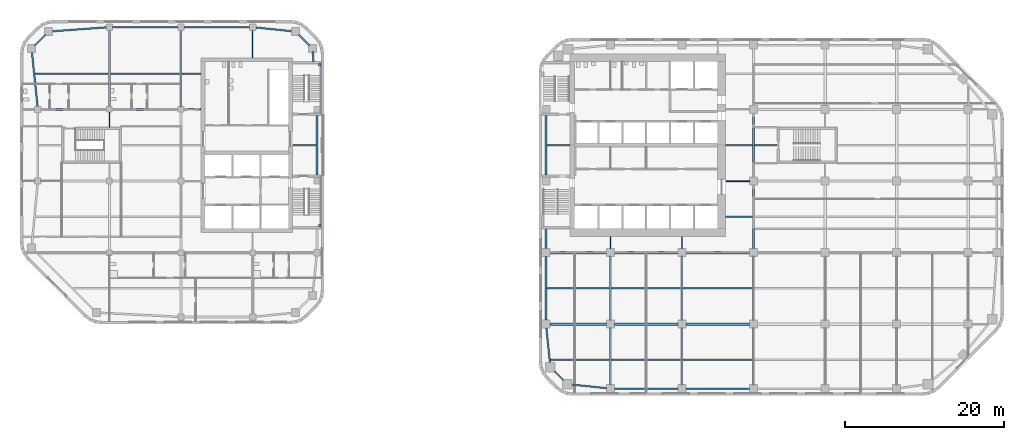
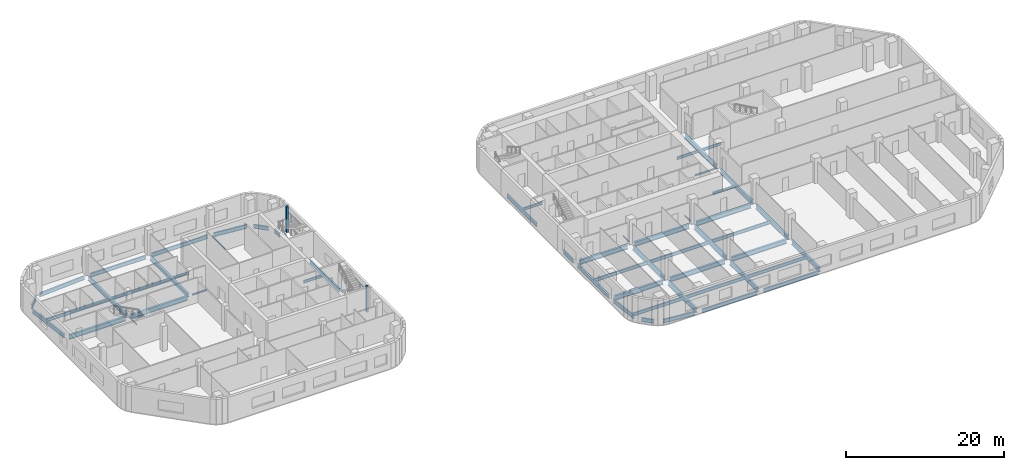
# One storey, part 2 of 15: 55 beams, 2 members.
"""IFC4 building model written with IfcOpenShell, lengths in metres."""

from ifc_helpers import new_model, si_unit, direction, frame, origin, origin_2d, place, context, subcontext, project, spatial, rectangle, i_section, extrude, material, material_profile, profile_set, type_object, element, save


model = new_model("IFC4")

# Units and contexts
model_context = context("Model", 3, precision=1e-05, world=origin(), true_north=direction((0.0, 1.0)))
body_context = subcontext(model_context, "Body", "Model", "MODEL_VIEW")
ifc_project = project(units=[si_unit("LENGTHUNIT", "METRE"), si_unit("AREAUNIT", "SQUARE_METRE"), si_unit("VOLUMEUNIT", "CUBIC_METRE"), si_unit("PLANEANGLEUNIT", "RADIAN"), si_unit("MASSUNIT", "GRAM", prefix="KILO")], contexts=[model_context])

# Site, building, storey
site_placement = place(None, origin())
site = spatial("IfcSite", under=ifc_project, at=site_placement, CompositionType="ELEMENT")
building_placement = place(site_placement, origin())
building = spatial("IfcBuilding", under=site, at=building_placement, Name="Cinnabar Reach Civic Tower", CompositionType="ELEMENT")
storey_placement = place(building_placement, frame((0.0, 0.0, 59.0)))
storey = spatial("IfcBuildingStorey", under=building, at=storey_placement, Name="L13", CompositionType="ELEMENT", Elevation=59.0)

# Beams
ifc_material_1 = material(Name="Steel Q355B", Category="steel")
ifc_material_profile_1 = material_profile(ifc_material_1, i_section(OverallWidth=0.302, OverallDepth=0.594, WebThickness=0.014, FlangeThickness=0.023, FilletRadius=0.016, at=origin_2d()), Name="HM594x302x14x23")
ifc_profile_set_1 = profile_set([ifc_material_profile_1], Name="Steel Q355B")
beam_type_1 = type_object("IfcBeamType", Name="HM594x302x14x23 beam R 120", PredefinedType="BEAM", material=ifc_profile_set_1)
for number, where, z_axis, x_axis, name in (
    (1, (-54.0, 36.352, -0.447), (0.0, 1.0, 0.0), (-1.0, 0.0, 0.0), "Girder T2 L13 5"),
    (2, (-45.0, 36.352, -0.447), (0.0, 1.0, 0.0), (-1.0, 0.0, 0.0), "Girder T2 L13 9"),
):
    element("IfcBeam", number, at=place(storey_placement, frame(where, z_axis=z_axis, x_axis=x_axis)), inside=storey, type_object=beam_type_1, Name=name, PredefinedType="BEAM", context=body_context, shape_type="SweptSolid", body=[
        extrude(i_section(OverallWidth=0.302, OverallDepth=0.594, WebThickness=0.014, FlangeThickness=0.023, FilletRadius=0.016, at=origin_2d()), origin(), (0.0, 0.0, 1.0), 9.596),
    ])
ifc_material_profile_2 = material_profile(ifc_material_1, i_section(OverallWidth=0.099, OverallDepth=0.198, WebThickness=0.0045, FlangeThickness=0.007, FilletRadius=0.013, at=origin_2d()), Name="HN200x100x5.5x8")
ifc_profile_set_2 = profile_set([ifc_material_profile_2], Name="Steel Q355B")
beam_type_2 = type_object("IfcBeamType", Name="HN200x100x5.5x8 beam R 120", PredefinedType="BEAM", material=ifc_profile_set_2)
beam_1_placement = place(storey_placement, frame((-54.0, 33.752, -0.249), z_axis=(0.0, 1.0, 0.0), x_axis=(-1.0, 0.0, 0.0)))
element("IfcBeam", 3, at=beam_1_placement, inside=storey, type_object=beam_type_2, Name="Girder T2 L13 4", PredefinedType="BEAM", context=body_context, shape_type="SweptSolid", body=[
    extrude(i_section(OverallWidth=0.099, OverallDepth=0.198, WebThickness=0.0045, FlangeThickness=0.007, FilletRadius=0.013, at=origin_2d()), origin(), (0.0, 0.0, 1.0), 1.896),
])
beam_2_placement = place(storey_placement, frame((-36.0, 42.502, -0.249), z_axis=(0.0, 1.0, 0.0), x_axis=(-1.0, 0.0, 0.0)))
element("IfcBeam", 4, at=beam_2_placement, inside=storey, type_object=beam_type_2, Name="Girder T2 L13 12", PredefinedType="BEAM", context=body_context, shape_type="SweptSolid", body=[
    extrude(i_section(OverallWidth=0.099, OverallDepth=0.198, WebThickness=0.0045, FlangeThickness=0.007, FilletRadius=0.013, at=origin_2d()), origin(), (0.0, 0.0, 1.0), 3.446),
])
ifc_material_profile_3 = material_profile(ifc_material_1, i_section(OverallWidth=0.099, OverallDepth=0.198, WebThickness=0.0045, FlangeThickness=0.007, FilletRadius=0.013, at=origin_2d()), Name="HN200x100x5.5x8")
ifc_profile_set_3 = profile_set([ifc_material_profile_3], Name="Steel Q355B")
beam_type_3 = type_object("IfcBeamType", Name="HN200x100x5.5x8 beam R 180", PredefinedType="BEAM", material=ifc_profile_set_3)
for number, where, z_axis, x_axis, name in (
    (5, (9.0, 18.502, -0.249), (0.0, 1.0, 0.0), (-1.0, 0.0, 0.0), "Girder T1 L13 3"),
    (6, (18.0, 18.502, -0.249), (0.0, 1.0, 0.0), (-1.0, 0.0, 0.0), "Girder T1 L13 6"),
):
    element("IfcBeam", number, at=place(storey_placement, frame(where, z_axis=z_axis, x_axis=x_axis)), inside=storey, type_object=beam_type_3, Name=name, PredefinedType="BEAM", context=body_context, shape_type="SweptSolid", body=[
        extrude(i_section(OverallWidth=0.099, OverallDepth=0.198, WebThickness=0.0045, FlangeThickness=0.007, FilletRadius=0.013, at=origin_2d()), origin(), (0.0, 0.0, 1.0), 1.496),
    ])
ifc_material_profile_4 = material_profile(ifc_material_1, i_section(OverallWidth=0.124, OverallDepth=0.248, WebThickness=0.005, FlangeThickness=0.008, FilletRadius=0.013, at=origin_2d()), Name="HN250x125x6x9")
ifc_profile_set_4 = profile_set([ifc_material_profile_4], Name="Steel Q355B")
beam_type_4 = type_object("IfcBeamType", Name="HN250x125x6x9 beam R 120", PredefinedType="BEAM", material=ifc_profile_set_4)
beam_3_placement = place(storey_placement, frame((-44.648, 36.0, -0.274), z_axis=(1.0, 0.0, 0.0), x_axis=(0.0, 1.0, 0.0)))
element("IfcBeam", 7, at=beam_3_placement, inside=storey, type_object=beam_type_4, Name="Girder T2 L13 10", PredefinedType="BEAM", context=body_context, shape_type="SweptSolid", body=[
    extrude(i_section(OverallWidth=0.124, OverallDepth=0.248, WebThickness=0.005, FlangeThickness=0.008, FilletRadius=0.013, at=origin_2d()), origin(), (0.0, 0.0, 1.0), 2.146),
])
ifc_material_profile_5 = material_profile(ifc_material_1, i_section(OverallWidth=0.124, OverallDepth=0.248, WebThickness=0.005, FlangeThickness=0.008, FilletRadius=0.013, at=origin_2d()), Name="HN250x125x6x9")
ifc_profile_set_5 = profile_set([ifc_material_profile_5], Name="Steel Q355B")
beam_type_5 = type_object("IfcBeamType", Name="HN250x125x6x9 beam R 180", PredefinedType="BEAM", material=ifc_profile_set_5)
beam_4_placement = place(storey_placement, frame((23.502, 27.0, -0.274), z_axis=(1.0, 0.0, 0.0), x_axis=(0.0, 1.0, 0.0)))
element("IfcBeam", 8, at=beam_4_placement, inside=storey, type_object=beam_type_5, Name="Girder T1 L13 15", PredefinedType="BEAM", context=body_context, shape_type="SweptSolid", body=[
    extrude(i_section(OverallWidth=0.124, OverallDepth=0.248, WebThickness=0.005, FlangeThickness=0.008, FilletRadius=0.013, at=origin_2d()), origin(), (0.0, 0.0, 1.0), 2.996),
])
ifc_material_profile_6 = material_profile(ifc_material_1, i_section(OverallWidth=0.199, OverallDepth=0.396, WebThickness=0.007, FlangeThickness=0.011, FilletRadius=0.013, at=origin_2d()), Name="HN396x199x7x11")
ifc_profile_set_6 = profile_set([ifc_material_profile_6], Name="Steel Q355B")
beam_type_6 = type_object("IfcBeamType", Name="HN396x199x7x11 beam R 120", PredefinedType="BEAM", material=ifc_profile_set_6)
beam_5_placement = place(storey_placement, frame((-30.998, 31.5, -0.348), z_axis=(1.0, 0.0, 0.0), x_axis=(0.0, 1.0, 0.0)))
element("IfcBeam", 9, at=beam_5_placement, inside=storey, type_object=beam_type_6, Name="Secondary beam T2 L13 11", PredefinedType="BEAM", context=body_context, shape_type="SweptSolid", body=[
    extrude(i_section(OverallWidth=0.199, OverallDepth=0.396, WebThickness=0.007, FlangeThickness=0.011, FilletRadius=0.013, at=origin_2d()), origin(), (0.0, 0.0, 1.0), 2.996),
])
beam_6_placement = place(storey_placement, frame((-44.847, 40.5, -0.348), z_axis=(1.0, 0.0, 0.0), x_axis=(0.0, 1.0, 0.0)))
element("IfcBeam", 10, at=beam_6_placement, inside=storey, type_object=beam_type_6, Name="Secondary beam T2 L13 14", PredefinedType="BEAM", context=body_context, shape_type="SweptSolid", body=[
    extrude(i_section(OverallWidth=0.199, OverallDepth=0.396, WebThickness=0.007, FlangeThickness=0.011, FilletRadius=0.013, at=origin_2d()), origin(), (0.0, 0.0, 1.0), 2.345),
])
ifc_material_profile_7 = material_profile(ifc_material_1, i_section(OverallWidth=0.2, OverallDepth=0.4, WebThickness=0.008, FlangeThickness=0.013, FilletRadius=0.016, at=origin_2d()), Name="HN400x200x8x13")
ifc_profile_set_7 = profile_set([ifc_material_profile_7], Name="Steel Q355B")
beam_type_7 = type_object("IfcBeamType", Name="HN400x200x8x13 beam R 180", PredefinedType="BEAM", material=ifc_profile_set_7)
beam_7_placement = place(storey_placement, frame((23.502, 22.5, -0.35), z_axis=(1.0, 0.0, 0.0), x_axis=(0.0, 1.0, 0.0)))
element("IfcBeam", 11, at=beam_7_placement, inside=storey, type_object=beam_type_7, Name="Secondary beam T1 L13 14", PredefinedType="BEAM", context=body_context, shape_type="SweptSolid", body=[
    extrude(i_section(OverallWidth=0.2, OverallDepth=0.4, WebThickness=0.008, FlangeThickness=0.013, FilletRadius=0.016, at=origin_2d()), origin(), (0.0, 0.0, 1.0), 3.346),
])
beam_8_placement = place(storey_placement, frame((1.002, 31.5, -0.35), z_axis=(1.0, 0.0, 0.0), x_axis=(0.0, 1.0, 0.0)))
element("IfcBeam", 12, at=beam_8_placement, inside=storey, type_object=beam_type_7, Name="Secondary beam T1 L13 19", PredefinedType="BEAM", context=body_context, shape_type="SweptSolid", body=[
    extrude(i_section(OverallWidth=0.2, OverallDepth=0.4, WebThickness=0.008, FlangeThickness=0.013, FilletRadius=0.016, at=origin_2d()), origin(), (0.0, 0.0, 1.0), 2.896),
])
beam_9_placement = place(storey_placement, frame((23.502, 31.5, -0.35), z_axis=(1.0, 0.0, 0.0), x_axis=(0.0, 1.0, 0.0)))
element("IfcBeam", 13, at=beam_9_placement, inside=storey, type_object=beam_type_7, Name="Secondary beam T1 L13 20", PredefinedType="BEAM", context=body_context, shape_type="SweptSolid", body=[
    extrude(i_section(OverallWidth=0.2, OverallDepth=0.4, WebThickness=0.008, FlangeThickness=0.013, FilletRadius=0.016, at=origin_2d()), origin(), (0.0, 0.0, 1.0), 3.346),
])
beam_10_placement = place(storey_placement, frame((27.152, 31.5, -0.35), z_axis=(1.0, 0.0, 0.0), x_axis=(0.0, 1.0, 0.0)))
element("IfcBeam", 14, at=beam_10_placement, inside=storey, type_object=beam_type_7, Name="Secondary beam T1 L13 21", PredefinedType="BEAM", context=body_context, shape_type="SweptSolid", body=[
    extrude(i_section(OverallWidth=0.2, OverallDepth=0.4, WebThickness=0.008, FlangeThickness=0.013, FilletRadius=0.016, at=origin_2d()), origin(), (0.0, 0.0, 1.0), 2.846),
])
ifc_material_profile_8 = material_profile(ifc_material_1, i_section(OverallWidth=0.199, OverallDepth=0.496, WebThickness=0.009, FlangeThickness=0.014, FilletRadius=0.016, at=origin_2d()), Name="HN496x199x9x14")
ifc_profile_set_8 = profile_set([ifc_material_profile_8], Name="Steel Q355B")
beam_type_8 = type_object("IfcBeamType", Name="HN496x199x9x14 beam R 120", PredefinedType="BEAM", material=ifc_profile_set_8)
beam_11_placement = place(storey_placement, frame((-63.3663, 40.5, -0.398), z_axis=(1.0, 0.0, 0.0), x_axis=(0.0, 1.0, 0.0)))
element("IfcBeam", 15, at=beam_11_placement, inside=storey, type_object=beam_type_8, Name="Secondary beam T2 L13 12", PredefinedType="BEAM", context=body_context, shape_type="SweptSolid", body=[
    extrude(i_section(OverallWidth=0.199, OverallDepth=0.496, WebThickness=0.009, FlangeThickness=0.014, FilletRadius=0.016, at=origin_2d()), origin(), (0.0, 0.0, 1.0), 9.2133),
])
beam_12_placement = place(storey_placement, frame((-53.847, 40.5, -0.398), z_axis=(1.0, 0.0, 0.0), x_axis=(0.0, 1.0, 0.0)))
element("IfcBeam", 16, at=beam_12_placement, inside=storey, type_object=beam_type_8, Name="Secondary beam T2 L13 13", PredefinedType="BEAM", context=body_context, shape_type="SweptSolid", body=[
    extrude(i_section(OverallWidth=0.199, OverallDepth=0.496, WebThickness=0.009, FlangeThickness=0.014, FilletRadius=0.016, at=origin_2d()), origin(), (0.0, 0.0, 1.0), 8.694),
])
ifc_material_profile_9 = material_profile(ifc_material_1, i_section(OverallWidth=0.2, OverallDepth=0.5, WebThickness=0.01, FlangeThickness=0.016, FilletRadius=0.016, at=origin_2d()), Name="HN500x200x10x16")
ifc_profile_set_9 = profile_set([ifc_material_profile_9], Name="Steel Q355B")
beam_type_9 = type_object("IfcBeamType", Name="HN500x200x10x16 beam R 180", PredefinedType="BEAM", material=ifc_profile_set_9)
beam_13_placement = place(storey_placement, frame((1.4636, 4.5, -0.4), z_axis=(1.0, 0.0, 0.0), x_axis=(0.0, 1.0, 0.0)))
element("IfcBeam", 17, at=beam_13_placement, inside=storey, type_object=beam_type_9, Name="Secondary beam T1 L13 1", PredefinedType="BEAM", context=body_context, shape_type="SweptSolid", body=[
    extrude(i_section(OverallWidth=0.2, OverallDepth=0.5, WebThickness=0.01, FlangeThickness=0.016, FilletRadius=0.016, at=origin_2d()), origin(), (0.0, 0.0, 1.0), 7.3844),
])
for number, where, z_axis, x_axis, name in (
    (18, (9.152, 4.5, -0.4), (1.0, 0.0, 0.0), (0.0, 1.0, 0.0), "Secondary beam T1 L13 2"),
    (19, (18.152, 4.5, -0.4), (1.0, 0.0, 0.0), (0.0, 1.0, 0.0), "Secondary beam T1 L13 3"),
):
    element("IfcBeam", number, at=place(storey_placement, frame(where, z_axis=z_axis, x_axis=x_axis)), inside=storey, type_object=beam_type_9, Name=name, PredefinedType="BEAM", context=body_context, shape_type="SweptSolid", body=[
        extrude(i_section(OverallWidth=0.2, OverallDepth=0.5, WebThickness=0.01, FlangeThickness=0.016, FilletRadius=0.016, at=origin_2d()), origin(), (0.0, 0.0, 1.0), 8.696),
    ])
beam_14_placement = place(storey_placement, frame((1.002, 13.5, -0.4), z_axis=(1.0, 0.0, 0.0), x_axis=(0.0, 1.0, 0.0)))
element("IfcBeam", 20, at=beam_14_placement, inside=storey, type_object=beam_type_9, Name="Secondary beam T1 L13 7", PredefinedType="BEAM", context=body_context, shape_type="SweptSolid", body=[
    extrude(i_section(OverallWidth=0.2, OverallDepth=0.5, WebThickness=0.01, FlangeThickness=0.016, FilletRadius=0.016, at=origin_2d()), origin(), (0.0, 0.0, 1.0), 7.846),
])
for number, where, z_axis, x_axis, name in (
    (21, (9.152, 13.5, -0.4), (1.0, 0.0, 0.0), (0.0, 1.0, 0.0), "Secondary beam T1 L13 8"),
    (22, (18.152, 13.5, -0.4), (1.0, 0.0, 0.0), (0.0, 1.0, 0.0), "Secondary beam T1 L13 9"),
):
    element("IfcBeam", number, at=place(storey_placement, frame(where, z_axis=z_axis, x_axis=x_axis)), inside=storey, type_object=beam_type_9, Name=name, PredefinedType="BEAM", context=body_context, shape_type="SweptSolid", body=[
        extrude(i_section(OverallWidth=0.2, OverallDepth=0.5, WebThickness=0.01, FlangeThickness=0.016, FilletRadius=0.016, at=origin_2d()), origin(), (0.0, 0.0, 1.0), 8.696),
    ])
ifc_material_profile_10 = material_profile(ifc_material_1, i_section(OverallWidth=0.2, OverallDepth=0.6, WebThickness=0.011, FlangeThickness=0.017, FilletRadius=0.016, at=origin_2d()), Name="HN600x200x11x17")
ifc_profile_set_10 = profile_set([ifc_material_profile_10], Name="Steel Q355B")
beam_type_10 = type_object("IfcBeamType", Name="HN600x200x11x17 beam R 120", PredefinedType="BEAM", material=ifc_profile_set_10)
beam_15_placement = place(storey_placement, frame((-27.9, 27.752, -0.45), z_axis=(0.0, 1.0, 0.0), x_axis=(-1.0, 0.0, 0.0)))
element("IfcBeam", 23, at=beam_15_placement, inside=storey, type_object=beam_type_10, Name="Edge beam T2 L13 7", PredefinedType="BEAM", context=body_context, shape_type="SweptSolid", body=[
    extrude(i_section(OverallWidth=0.2, OverallDepth=0.6, WebThickness=0.011, FlangeThickness=0.017, FilletRadius=0.016, at=origin_2d()), origin(), (0.0, 0.0, 1.0), 7.496),
])
beam_16_placement = place(storey_placement, frame((-28.3341, 42.002, -0.45), z_axis=(-0.072116143061, 0.997396241175, 0.0), x_axis=(-0.997396241175, -0.072116143061, 0.0)))
element("IfcBeam", 24, at=beam_16_placement, inside=storey, type_object=beam_type_10, Name="Edge beam T2 L13 8", PredefinedType="BEAM", context=body_context, shape_type="SweptSolid", body=[
    extrude(i_section(OverallWidth=0.2, OverallDepth=0.6, WebThickness=0.011, FlangeThickness=0.017, FilletRadius=0.016, at=origin_2d()), origin(), (0.0, 0.0, 1.0), 1.2674),
])
beam_17_placement = place(storey_placement, frame((-28.8351, 44.0301, -0.45), z_axis=(-0.707106781187, 0.707106781187, 0.0), x_axis=(-0.707106781187, -0.707106781187, 0.0)))
element("IfcBeam", 25, at=beam_17_placement, inside=storey, type_object=beam_type_10, Name="Edge beam T2 L13 9", PredefinedType="BEAM", context=body_context, shape_type="SweptSolid", body=[
    extrude(i_section(OverallWidth=0.2, OverallDepth=0.6, WebThickness=0.011, FlangeThickness=0.017, FilletRadius=0.016, at=origin_2d()), origin(), (0.0, 0.0, 1.0), 1.9584),
])
beam_18_placement = place(storey_placement, frame((-30.9839, 45.836, -0.45), z_axis=(-0.994791084875, 0.101934770579, 0.0), x_axis=(-0.101934770579, -0.994791084875, 0.0)))
element("IfcBeam", 26, at=beam_18_placement, inside=storey, type_object=beam_type_10, Name="Edge beam T2 L13 10", PredefinedType="BEAM", context=body_context, shape_type="SweptSolid", body=[
    extrude(i_section(OverallWidth=0.2, OverallDepth=0.6, WebThickness=0.011, FlangeThickness=0.017, FilletRadius=0.016, at=origin_2d()), origin(), (0.0, 0.0, 1.0), 4.6383),
])
for number, where, z_axis, x_axis, name in (
    (27, (-36.402, 46.35, -0.45), (-1.0, 0.0, 0.0), (0.0, -1.0, 0.0), "Edge beam T2 L13 11"),
    (28, (-45.402, 46.35, -0.45), (-1.0, 0.0, 0.0), (0.0, -1.0, 0.0), "Edge beam T2 L13 12"),
):
    element("IfcBeam", number, at=place(storey_placement, frame(where, z_axis=z_axis, x_axis=x_axis)), inside=storey, type_object=beam_type_10, Name=name, PredefinedType="BEAM", context=body_context, shape_type="SweptSolid", body=[
        extrude(i_section(OverallWidth=0.2, OverallDepth=0.6, WebThickness=0.011, FlangeThickness=0.017, FilletRadius=0.016, at=origin_2d()), origin(), (0.0, 0.0, 1.0), 8.196),
    ])
beam_19_placement = place(storey_placement, frame((-54.402, 46.3209, -0.45), z_axis=(-0.997395244781, -0.072129922278, 0.0), x_axis=(0.072129922278, -0.997395244781, 0.0)))
element("IfcBeam", 29, at=beam_19_placement, inside=storey, type_object=beam_type_10, Name="Edge beam T2 L13 13", PredefinedType="BEAM", context=body_context, shape_type="SweptSolid", body=[
    extrude(i_section(OverallWidth=0.2, OverallDepth=0.6, WebThickness=0.011, FlangeThickness=0.017, FilletRadius=0.016, at=origin_2d()), origin(), (0.0, 0.0, 1.0), 6.882),
])
beam_20_placement = place(storey_placement, frame((-62.0301, 45.4149, -0.45), z_axis=(-0.707106781187, -0.707106781187, 0.0), x_axis=(0.707106781187, -0.707106781187, 0.0)))
element("IfcBeam", 30, at=beam_20_placement, inside=storey, type_object=beam_type_10, Name="Edge beam T2 L13 14", PredefinedType="BEAM", context=body_context, shape_type="SweptSolid", body=[
    extrude(i_section(OverallWidth=0.2, OverallDepth=0.6, WebThickness=0.011, FlangeThickness=0.017, FilletRadius=0.016, at=origin_2d()), origin(), (0.0, 0.0, 1.0), 1.9584),
])
beam_21_placement = place(storey_placement, frame((-63.7571, 43.2661, -0.45), z_axis=(0.103633260175, -0.994615577691, 0.0), x_axis=(0.994615577691, 0.103633260175, 0.0)))
element("IfcBeam", 31, at=beam_21_placement, inside=storey, type_object=beam_type_10, Name="Edge beam T2 L13 15", PredefinedType="BEAM", context=body_context, shape_type="SweptSolid", body=[
    extrude(i_section(OverallWidth=0.2, OverallDepth=0.6, WebThickness=0.011, FlangeThickness=0.017, FilletRadius=0.016, at=origin_2d()), origin(), (0.0, 0.0, 1.0), 6.9013),
])
ifc_material_profile_11 = material_profile(ifc_material_1, i_section(OverallWidth=0.2, OverallDepth=0.6, WebThickness=0.011, FlangeThickness=0.017, FilletRadius=0.016, at=origin_2d()), Name="HN600x200x11x17")
ifc_profile_set_11 = profile_set([ifc_material_profile_11], Name="Steel Q355B")
beam_type_11 = type_object("IfcBeamType", Name="HN600x200x11x17 beam R 180", PredefinedType="BEAM", material=ifc_profile_set_11)
beam_22_placement = place(storey_placement, frame((4.0839, 1.4037, -0.45), z_axis=(0.994791228755, -0.101933366432, 0.0), x_axis=(0.101933366432, 0.994791228755, 0.0)))
element("IfcBeam", 32, at=beam_22_placement, inside=storey, type_object=beam_type_11, Name="Edge beam T1 L13 1", PredefinedType="BEAM", context=body_context, shape_type="SweptSolid", body=[
    extrude(i_section(OverallWidth=0.2, OverallDepth=0.6, WebThickness=0.011, FlangeThickness=0.017, FilletRadius=0.016, at=origin_2d()), origin(), (0.0, 0.0, 1.0), 4.4372),
])
for number, where, z_axis, x_axis, name in (
    (33, (9.502, 0.9, -0.45), (1.0, 0.0, 0.0), (0.0, 1.0, 0.0), "Edge beam T1 L13 2"),
    (34, (18.502, 0.9, -0.45), (1.0, 0.0, 0.0), (0.0, 1.0, 0.0), "Edge beam T1 L13 3"),
):
    element("IfcBeam", number, at=place(storey_placement, frame(where, z_axis=z_axis, x_axis=x_axis)), inside=storey, type_object=beam_type_11, Name=name, PredefinedType="BEAM", context=body_context, shape_type="SweptSolid", body=[
        extrude(i_section(OverallWidth=0.2, OverallDepth=0.6, WebThickness=0.011, FlangeThickness=0.017, FilletRadius=0.016, at=origin_2d()), origin(), (0.0, 0.0, 1.0), 7.996),
    ])
beam_23_placement = place(storey_placement, frame((0.9, 35.248, -0.45), z_axis=(0.0, -1.0, 0.0), x_axis=(1.0, 0.0, 0.0)))
element("IfcBeam", 35, at=beam_23_placement, inside=storey, type_object=beam_type_11, Name="Edge beam T1 L13 20", PredefinedType="BEAM", context=body_context, shape_type="SweptSolid", body=[
    extrude(i_section(OverallWidth=0.2, OverallDepth=0.6, WebThickness=0.011, FlangeThickness=0.017, FilletRadius=0.016, at=origin_2d()), origin(), (0.0, 0.0, 1.0), 7.496),
])
beam_24_placement = place(storey_placement, frame((0.9, 20.998, -0.45), z_axis=(0.0, -1.0, 0.0), x_axis=(1.0, 0.0, 0.0)))
element("IfcBeam", 36, at=beam_24_placement, inside=storey, type_object=beam_type_11, Name="Edge beam T1 L13 21", PredefinedType="BEAM", context=body_context, shape_type="SweptSolid", body=[
    extrude(i_section(OverallWidth=0.2, OverallDepth=0.6, WebThickness=0.011, FlangeThickness=0.017, FilletRadius=0.016, at=origin_2d()), origin(), (0.0, 0.0, 1.0), 2.496),
])
beam_25_placement = place(storey_placement, frame((0.9, 17.498, -0.45), z_axis=(0.0, -1.0, 0.0), x_axis=(1.0, 0.0, 0.0)))
element("IfcBeam", 37, at=beam_25_placement, inside=storey, type_object=beam_type_11, Name="Edge beam T1 L13 22", PredefinedType="BEAM", context=body_context, shape_type="SweptSolid", body=[
    extrude(i_section(OverallWidth=0.2, OverallDepth=0.6, WebThickness=0.011, FlangeThickness=0.017, FilletRadius=0.016, at=origin_2d()), origin(), (0.0, 0.0, 1.0), 7.996),
])
beam_26_placement = place(storey_placement, frame((0.9514, 8.498, -0.45), z_axis=(0.101933366432, -0.994791228755, 0.0), x_axis=(0.994791228755, 0.101933366432, 0.0)))
element("IfcBeam", 38, at=beam_26_placement, inside=storey, type_object=beam_type_11, Name="Edge beam T1 L13 23", PredefinedType="BEAM", context=body_context, shape_type="SweptSolid", body=[
    extrude(i_section(OverallWidth=0.2, OverallDepth=0.6, WebThickness=0.011, FlangeThickness=0.017, FilletRadius=0.016, at=origin_2d()), origin(), (0.0, 0.0, 1.0), 4.4372),
])
beam_27_placement = place(storey_placement, frame((1.9351, 3.1199, -0.45), z_axis=(0.707106781187, -0.707106781187, 0.0), x_axis=(0.707106781187, 0.707106781187, 0.0)))
element("IfcBeam", 39, at=beam_27_placement, inside=storey, type_object=beam_type_11, Name="Edge beam T1 L13 24", PredefinedType="BEAM", context=body_context, shape_type="SweptSolid", body=[
    extrude(i_section(OverallWidth=0.2, OverallDepth=0.6, WebThickness=0.011, FlangeThickness=0.017, FilletRadius=0.016, at=origin_2d()), origin(), (0.0, 0.0, 1.0), 1.6756),
])
ifc_material_profile_12 = material_profile(ifc_material_1, i_section(OverallWidth=0.3, OverallDepth=0.692, WebThickness=0.013, FlangeThickness=0.02, FilletRadius=0.016, at=origin_2d()), Name="HN692x300x13x20")
ifc_profile_set_12 = profile_set([ifc_material_profile_12], Name="Steel Q355B")
beam_type_12 = type_object("IfcBeamType", Name="HN692x300x13x20 beam R 120", PredefinedType="BEAM", material=ifc_profile_set_12)
beam_28_placement = place(storey_placement, frame((-62.598, 36.0, -0.496), z_axis=(1.0, 0.0, 0.0), x_axis=(0.0, 1.0, 0.0)))
element("IfcBeam", 40, at=beam_28_placement, inside=storey, type_object=beam_type_12, Name="Girder T2 L13 8", PredefinedType="BEAM", context=body_context, shape_type="SweptSolid", body=[
    extrude(i_section(OverallWidth=0.3, OverallDepth=0.692, WebThickness=0.013, FlangeThickness=0.02, FilletRadius=0.016, at=origin_2d()), origin(), (0.0, 0.0, 1.0), 8.246),
])
beam_29_placement = place(storey_placement, frame((-53.648, 36.0, -0.496), z_axis=(1.0, 0.0, 0.0), x_axis=(0.0, 1.0, 0.0)))
element("IfcBeam", 41, at=beam_29_placement, inside=storey, type_object=beam_type_12, Name="Girder T2 L13 9", PredefinedType="BEAM", context=body_context, shape_type="SweptSolid", body=[
    extrude(i_section(OverallWidth=0.3, OverallDepth=0.692, WebThickness=0.013, FlangeThickness=0.02, FilletRadius=0.016, at=origin_2d()), origin(), (0.0, 0.0, 1.0), 8.296),
])
ifc_material_profile_13 = material_profile(ifc_material_1, i_section(OverallWidth=0.3, OverallDepth=0.692, WebThickness=0.013, FlangeThickness=0.02, FilletRadius=0.016, at=origin_2d()), Name="HN692x300x13x20")
ifc_profile_set_13 = profile_set([ifc_material_profile_13], Name="Steel Q355B")
beam_type_13 = type_object("IfcBeamType", Name="HN692x300x13x20 beam R 180", PredefinedType="BEAM", material=ifc_profile_set_13)
beam_30_placement = place(storey_placement, frame((9.0, 1.402, -0.496), z_axis=(0.0, 1.0, 0.0), x_axis=(-1.0, 0.0, 0.0)))
element("IfcBeam", 42, at=beam_30_placement, inside=storey, type_object=beam_type_13, Name="Girder T1 L13 1", PredefinedType="BEAM", context=body_context, shape_type="SweptSolid", body=[
    extrude(i_section(OverallWidth=0.3, OverallDepth=0.692, WebThickness=0.013, FlangeThickness=0.02, FilletRadius=0.016, at=origin_2d()), origin(), (0.0, 0.0, 1.0), 7.096),
])
beam_31_placement = place(storey_placement, frame((9.0, 9.502, -0.496), z_axis=(0.0, 1.0, 0.0), x_axis=(-1.0, 0.0, 0.0)))
element("IfcBeam", 43, at=beam_31_placement, inside=storey, type_object=beam_type_13, Name="Girder T1 L13 2", PredefinedType="BEAM", context=body_context, shape_type="SweptSolid", body=[
    extrude(i_section(OverallWidth=0.3, OverallDepth=0.692, WebThickness=0.013, FlangeThickness=0.02, FilletRadius=0.016, at=origin_2d()), origin(), (0.0, 0.0, 1.0), 7.996),
])
beam_32_placement = place(storey_placement, frame((18.0, 1.402, -0.496), z_axis=(0.0, 1.0, 0.0), x_axis=(-1.0, 0.0, 0.0)))
element("IfcBeam", 44, at=beam_32_placement, inside=storey, type_object=beam_type_13, Name="Girder T1 L13 4", PredefinedType="BEAM", context=body_context, shape_type="SweptSolid", body=[
    extrude(i_section(OverallWidth=0.3, OverallDepth=0.692, WebThickness=0.013, FlangeThickness=0.02, FilletRadius=0.016, at=origin_2d()), origin(), (0.0, 0.0, 1.0), 7.096),
])
beam_33_placement = place(storey_placement, frame((18.0, 9.502, -0.496), z_axis=(0.0, 1.0, 0.0), x_axis=(-1.0, 0.0, 0.0)))
element("IfcBeam", 45, at=beam_33_placement, inside=storey, type_object=beam_type_13, Name="Girder T1 L13 5", PredefinedType="BEAM", context=body_context, shape_type="SweptSolid", body=[
    extrude(i_section(OverallWidth=0.3, OverallDepth=0.692, WebThickness=0.013, FlangeThickness=0.02, FilletRadius=0.016, at=origin_2d()), origin(), (0.0, 0.0, 1.0), 7.996),
])
beam_34_placement = place(storey_placement, frame((27.0, 1.402, -0.496), z_axis=(0.0, 1.0, 0.0), x_axis=(-1.0, 0.0, 0.0)))
element("IfcBeam", 46, at=beam_34_placement, inside=storey, type_object=beam_type_13, Name="Girder T1 L13 7", PredefinedType="BEAM", context=body_context, shape_type="SweptSolid", body=[
    extrude(i_section(OverallWidth=0.3, OverallDepth=0.692, WebThickness=0.013, FlangeThickness=0.02, FilletRadius=0.016, at=origin_2d()), origin(), (0.0, 0.0, 1.0), 7.096),
])
for number, where, z_axis, x_axis, name in (
    (47, (27.0, 9.502, -0.496), (0.0, 1.0, 0.0), (-1.0, 0.0, 0.0), "Girder T1 L13 8"),
    (48, (27.0, 18.502, -0.496), (0.0, 1.0, 0.0), (-1.0, 0.0, 0.0), "Girder T1 L13 9"),
    (49, (27.0, 27.502, -0.496), (0.0, 1.0, 0.0), (-1.0, 0.0, 0.0), "Girder T1 L13 10"),
):
    element("IfcBeam", number, at=place(storey_placement, frame(where, z_axis=z_axis, x_axis=x_axis)), inside=storey, type_object=beam_type_13, Name=name, PredefinedType="BEAM", context=body_context, shape_type="SweptSolid", body=[
        extrude(i_section(OverallWidth=0.3, OverallDepth=0.692, WebThickness=0.013, FlangeThickness=0.02, FilletRadius=0.016, at=origin_2d()), origin(), (0.0, 0.0, 1.0), 7.996),
    ])
ifc_material_profile_14 = material_profile(ifc_material_1, i_section(OverallWidth=0.3, OverallDepth=0.7, WebThickness=0.013, FlangeThickness=0.024, FilletRadius=0.02, at=origin_2d()), Name="HN700x300x13x24")
ifc_profile_set_14 = profile_set([ifc_material_profile_14], Name="Steel Q355B")
beam_type_14 = type_object("IfcBeamType", Name="HN700x300x13x24 beam R 180", PredefinedType="BEAM", material=ifc_profile_set_14)
beam_35_placement = place(storey_placement, frame((1.402, 9.0, -0.5), z_axis=(1.0, 0.0, 0.0), x_axis=(0.0, 1.0, 0.0)))
element("IfcBeam", 50, at=beam_35_placement, inside=storey, type_object=beam_type_14, Name="Girder T1 L13 1", PredefinedType="BEAM", context=body_context, shape_type="SweptSolid", body=[
    extrude(i_section(OverallWidth=0.3, OverallDepth=0.7, WebThickness=0.013, FlangeThickness=0.024, FilletRadius=0.02, at=origin_2d()), origin(), (0.0, 0.0, 1.0), 7.096),
])
for number, where, z_axis, x_axis, name in (
    (51, (9.502, 9.0, -0.5), (1.0, 0.0, 0.0), (0.0, 1.0, 0.0), "Girder T1 L13 2"),
    (52, (18.502, 9.0, -0.5), (1.0, 0.0, 0.0), (0.0, 1.0, 0.0), "Girder T1 L13 3"),
):
    element("IfcBeam", number, at=place(storey_placement, frame(where, z_axis=z_axis, x_axis=x_axis)), inside=storey, type_object=beam_type_14, Name=name, PredefinedType="BEAM", context=body_context, shape_type="SweptSolid", body=[
        extrude(i_section(OverallWidth=0.3, OverallDepth=0.7, WebThickness=0.013, FlangeThickness=0.024, FilletRadius=0.02, at=origin_2d()), origin(), (0.0, 0.0, 1.0), 7.996),
    ])
beam_36_placement = place(storey_placement, frame((1.402, 18.0, -0.5), z_axis=(1.0, 0.0, 0.0), x_axis=(0.0, 1.0, 0.0)))
element("IfcBeam", 53, at=beam_36_placement, inside=storey, type_object=beam_type_14, Name="Girder T1 L13 8", PredefinedType="BEAM", context=body_context, shape_type="SweptSolid", body=[
    extrude(i_section(OverallWidth=0.3, OverallDepth=0.7, WebThickness=0.013, FlangeThickness=0.024, FilletRadius=0.02, at=origin_2d()), origin(), (0.0, 0.0, 1.0), 7.096),
])
for number, where, z_axis, x_axis, name in (
    (54, (9.502, 18.0, -0.5), (1.0, 0.0, 0.0), (0.0, 1.0, 0.0), "Girder T1 L13 9"),
    (55, (18.502, 18.0, -0.5), (1.0, 0.0, 0.0), (0.0, 1.0, 0.0), "Girder T1 L13 10"),
):
    element("IfcBeam", number, at=place(storey_placement, frame(where, z_axis=z_axis, x_axis=x_axis)), inside=storey, type_object=beam_type_14, Name=name, PredefinedType="BEAM", context=body_context, shape_type="SweptSolid", body=[
        extrude(i_section(OverallWidth=0.3, OverallDepth=0.7, WebThickness=0.013, FlangeThickness=0.024, FilletRadius=0.02, at=origin_2d()), origin(), (0.0, 0.0, 1.0), 7.996),
    ])

# Members
ifc_material_2 = material(Name="Concrete C40", Category="concrete")
ifc_material_profile_15 = material_profile(ifc_material_2, rectangle(XDim=0.3, YDim=0.3, at=origin_2d()), Name="C300")
ifc_profile_set_15 = profile_set([ifc_material_profile_15], Name="Concrete C40")
member_type = type_object("IfcMemberType", Name="T2 stair post 300", PredefinedType="STRUT", material=ifc_profile_set_15)
for number, where, z_axis, x_axis, name in (
    (56, (-27.55, 21.4, 0.0), (0.0, 0.0, 1.0), (1.0, 0.0, 0.0), "Stair post 1"),
    (57, (-27.55, 41.6, 0.0), (0.0, 0.0, 1.0), (1.0, 0.0, 0.0), "Stair post 2"),
):
    element("IfcMember", number, at=place(storey_placement, frame(where, z_axis=z_axis, x_axis=x_axis)), inside=storey, type_object=member_type, Name=name, PredefinedType="STRUT", context=body_context, shape_type="SweptSolid", body=[
        extrude(rectangle(XDim=0.3, YDim=0.3, at=origin_2d()), origin(), (0.0, 0.0, 1.0), 4.0),
    ])

save(model, "model.ifc")
